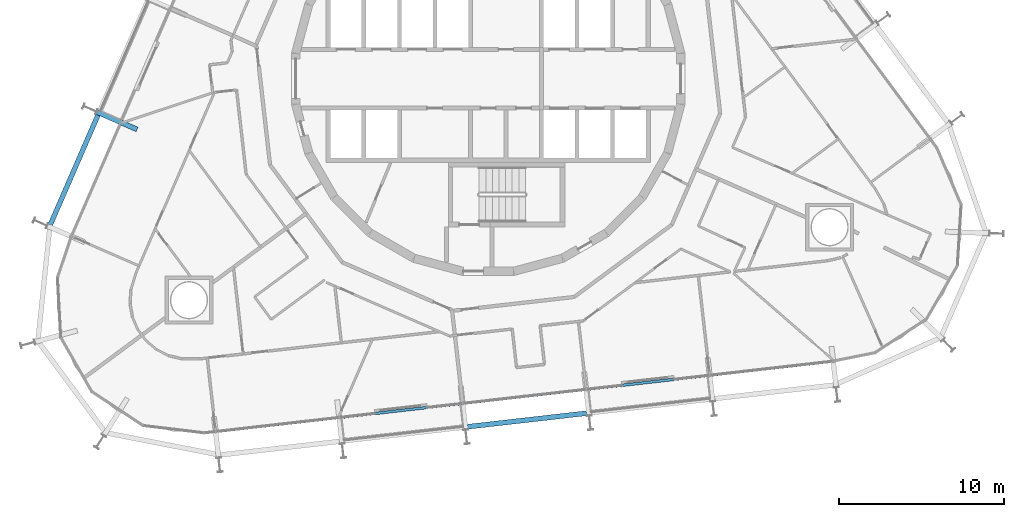
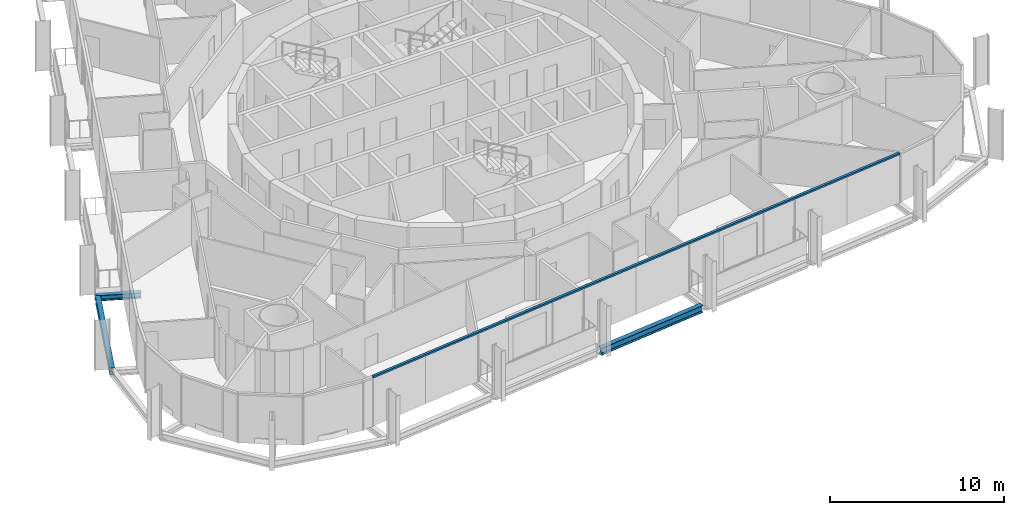
# One storey, part 4 of 23: 3 beams, 1 member, 1 element without a shape of its own.
"""IFC4 building model written with IfcOpenShell, lengths in metres."""

from ifc_helpers import new_model, si_unit, direction, frame, origin, origin_2d, place, context, subcontext, project, spatial, rectangle, i_section, extrude, material, layer, layer_set, material_profile, profile_set, type_object, element, aggregate, save


model = new_model("IFC4")

# Units and contexts
model_context = context("Model", 3, precision=1e-05, world=origin(), true_north=direction((0.0, 1.0)))
body_context = subcontext(model_context, "Body", "Model", "MODEL_VIEW")
ifc_project = project(units=[si_unit("LENGTHUNIT", "METRE"), si_unit("AREAUNIT", "SQUARE_METRE"), si_unit("VOLUMEUNIT", "CUBIC_METRE"), si_unit("PLANEANGLEUNIT", "RADIAN"), si_unit("MASSUNIT", "GRAM", prefix="KILO")], contexts=[model_context])

# Site, building, storey
site_placement = place(None, origin())
site = spatial("IfcSite", under=ifc_project, at=site_placement, CompositionType="ELEMENT")
building_placement = place(site_placement, origin())
building = spatial("IfcBuilding", under=site, at=building_placement, Name="Spindle Arch Residences", CompositionType="ELEMENT")
storey_placement = place(building_placement, frame((0.0, 0.0, 83.699951171875)))
storey = spatial("IfcBuildingStorey", under=building, at=storey_placement, Name="L19", CompositionType="ELEMENT", Elevation=83.699951171875)

# Curtain wall, member
ifc_material_1 = material(Name="Aluminium bronze unitised frame with tinted glass", Category="aluminium")
ifc_layer = layer(ifc_material_1, 0.159912109375)
ifc_layer_set = layer_set([ifc_layer], Name="CW-C typical residential unitised wall")
curtain_wall_type = type_object("IfcCurtainWallType", Name="CW-C typical residential unitised wall", PredefinedType="NOTDEFINED", material=ifc_layer_set)
curtain_wall_placement = place(storey_placement, origin())
curtain_wall = element("IfcCurtainWall", 1, at=curtain_wall_placement, inside=storey, type_object=curtain_wall_type, Name="CW-C L19 run 6", PredefinedType="NOTDEFINED")
ifc_material_2 = material(Name="Aluminium bronze anodised transom", Category="aluminium")
ifc_material_profile_1 = material_profile(ifc_material_2, rectangle(XDim=0.159912109375, YDim=0.1201171875, at=origin_2d()), Name="TR 120x160")
ifc_profile_set_1 = profile_set([ifc_material_profile_1], Name="Aluminium bronze anodised transom")
member_type = type_object("IfcMemberType", Name="Bronze transom 120x160", PredefinedType="USERDEFINED", material=ifc_profile_set_1)
member_placement = place(storey_placement, frame((-16.457275390625, -21.337646484375, 3.06005859375), z_axis=(0.993571693336, 0.1132046386, 0.0), x_axis=(-0.1132046386, 0.993571693336, 0.0)))
member = element("IfcMember", 2, at=member_placement, type_object=member_type, Name="CW-C transom 00", ObjectType="TRANSOM", PredefinedType="USERDEFINED", context=body_context, shape_type="SweptSolid", body=[
    extrude(rectangle(XDim=0.159912109375, YDim=0.1201171875, at=origin_2d()), origin(), (0.0, 0.0, 1.0), 37.533935546875),
])
aggregate(curtain_wall, [member])

# Beams
ifc_material_3 = material(Name="Steel S460ML, intumescent coating R 120", Category="steel")
ifc_material_profile_2 = material_profile(ifc_material_3, i_section(OverallWidth=0.300048828125, OverallDepth=0.5, WebThickness=0.014404296875, FlangeThickness=0.028076171875, FilletRadius=0.027099609375, at=origin_2d()), Name="HEB 500")
ifc_profile_set_2 = profile_set([ifc_material_profile_2], Name="Steel S460ML, intumescent coating R 120")
beam_type_1 = type_object("IfcBeamType", Name="Exoskeleton edge beam HEB 500", PredefinedType="BEAM", material=ifc_profile_set_2)
beam_1_placement = place(storey_placement, frame((-23.5966796875, -2.1796875, -0.6298828125), z_axis=(-0.398760546857, -0.917055083553, 0.0), x_axis=(0.917055083553, -0.398760546857, 0.0)))
element("IfcBeam", 3, at=beam_1_placement, inside=storey, type_object=beam_type_1, Name="Exoskeleton edge beam 18", PredefinedType="BEAM", context=body_context, shape_type="SweptSolid", body=[
    extrude(i_section(OverallWidth=0.300048828125, OverallDepth=0.5, WebThickness=0.014404296875, FlangeThickness=0.028076171875, FilletRadius=0.027099609375, at=origin_2d()), origin(), (0.0, 0.0, 1.0), 7.2587890625),
])
beam_2_placement = place(storey_placement, frame((-1.2548828125, -21.0478515625, -0.6298828125), z_axis=(0.993575205863, 0.113173805691, 0.0), x_axis=(-0.113173805691, 0.993575205863, 0.0)))
element("IfcBeam", 4, at=beam_2_placement, inside=storey, type_object=beam_type_1, Name="Exoskeleton edge beam 24", PredefinedType="BEAM", context=body_context, shape_type="SweptSolid", body=[
    extrude(i_section(OverallWidth=0.300048828125, OverallDepth=0.5, WebThickness=0.014404296875, FlangeThickness=0.028076171875, FilletRadius=0.027099609375, at=origin_2d()), origin(), (0.0, 0.0, 1.0), 7.259033203125),
])
ifc_material_4 = material(Name="Steel S460ML, intumescent coating R 120", Category="steel")
ifc_material_profile_3 = material_profile(ifc_material_4, i_section(OverallWidth=0.300048828125, OverallDepth=0.389892578125, WebThickness=0.010986328125, FlangeThickness=0.01904296875, FilletRadius=0.027099609375, at=origin_2d()), Name="HEA 400")
ifc_profile_set_3 = profile_set([ifc_material_profile_3], Name="Steel S460ML, intumescent coating R 120")
beam_type_2 = type_object("IfcBeamType", Name="Floor outrigger HEA 400", PredefinedType="BEAM", material=ifc_profile_set_3)
beam_3_placement = place(storey_placement, frame((-23.670654296875, -2.005859375, -0.574951171875), z_axis=(0.917064197317, -0.398739586698, 0.0), x_axis=(0.398739586698, 0.917064197317, 0.0)))
element("IfcBeam", 5, at=beam_3_placement, inside=storey, type_object=beam_type_2, Name="Floor outrigger 18", PredefinedType="BEAM", context=body_context, shape_type="SweptSolid", body=[
    extrude(i_section(OverallWidth=0.300048828125, OverallDepth=0.389892578125, WebThickness=0.010986328125, FlangeThickness=0.01904296875, FilletRadius=0.027099609375, at=origin_2d()), origin(), (0.0, 0.0, 1.0), 2.64990234375),
])

save(model, "model.ifc")
